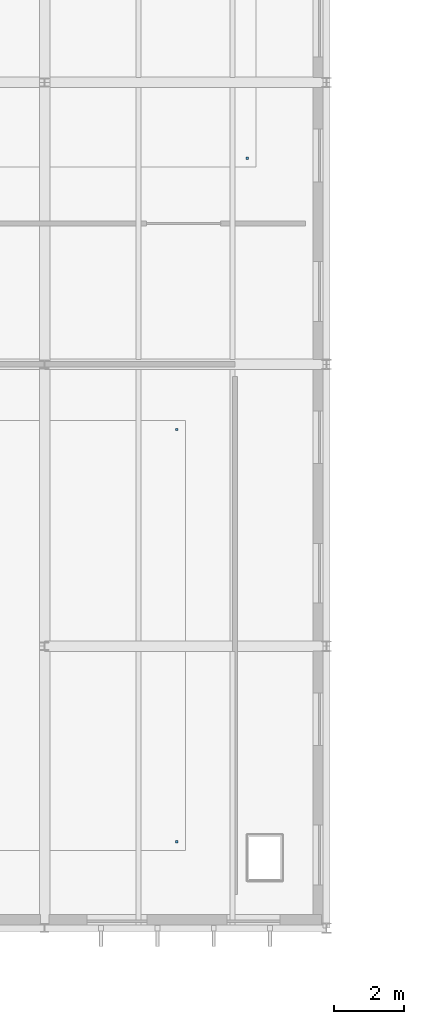
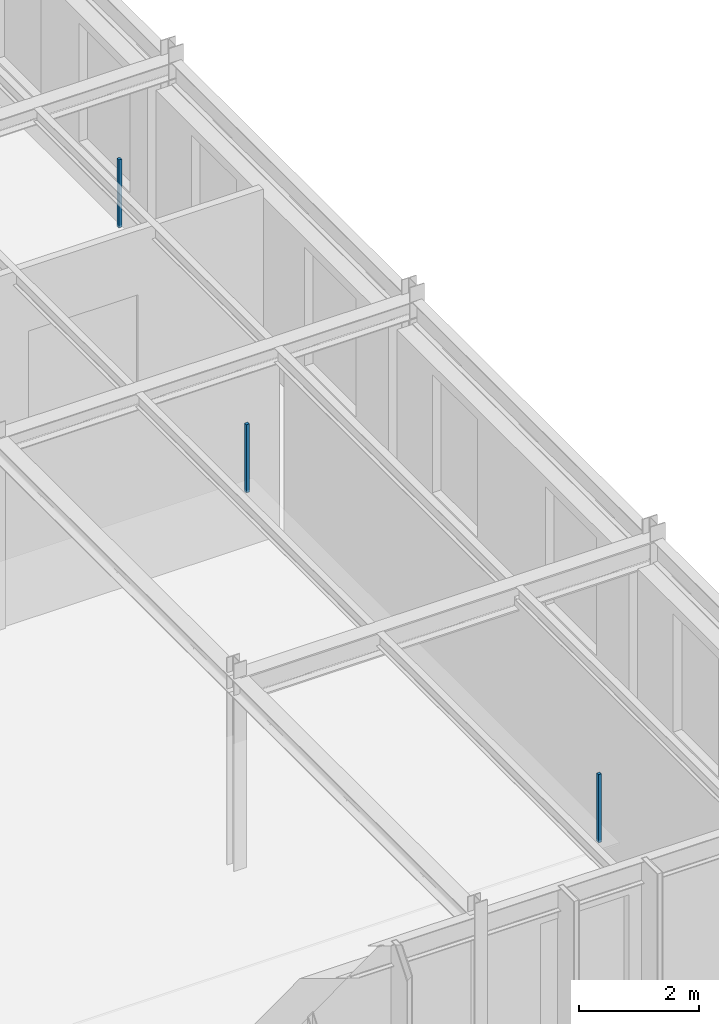
# One storey, part 97 of 124: 3 discrete accessories.
"""IFC4 building model written with IfcOpenShell, lengths in metres."""

from ifc_helpers import new_model, si_unit, direction, frame, origin, origin_2d, place, context, subcontext, project, spatial, rectangle, extrude, material, type_object, element, save


model = new_model("IFC4")

# Units and contexts
model_context = context("Model", 3, precision=1e-05, world=origin(), true_north=direction((0.0, 1.0)))
body_context = subcontext(model_context, "Body", "Model", "MODEL_VIEW")
ifc_project = project(units=[si_unit("LENGTHUNIT", "METRE"), si_unit("AREAUNIT", "SQUARE_METRE"), si_unit("VOLUMEUNIT", "CUBIC_METRE"), si_unit("PLANEANGLEUNIT", "RADIAN"), si_unit("MASSUNIT", "GRAM", prefix="KILO")], contexts=[model_context])

# Site, building, storey
site_placement = place(None, origin())
site = spatial("IfcSite", under=ifc_project, at=site_placement, CompositionType="ELEMENT")
building_placement = place(site_placement, origin())
building = spatial("IfcBuilding", under=site, at=building_placement, Name="Sundkrona Museum", CompositionType="ELEMENT")
storey_placement = place(building_placement, frame((0.0, 0.0, 17.60009765625)))
storey = spatial("IfcBuildingStorey", under=building, at=storey_placement, Name="L03", CompositionType="ELEMENT", Elevation=17.60009765625)

# Discrete accessories
ifc_material = material(Name="Stainless Steel EN 1.4404 Cleat", Category="steel")
discrete_accessory_type = type_object("IfcDiscreteAccessoryType", Name="BRK-FIN-01", PredefinedType="BRACKET", material=ifc_material)
for number, where, z_axis, x_axis, name in (
    (1, (75.75, 80.449951171875, 2.550048828125), (0.0, 0.0, 1.0), (1.0, 0.0, 0.0), "L03 Nordic Ecology Gallery Ceiling Hanger 2"),
    (2, (75.75, 92.14990234375, 2.550048828125), (0.0, 0.0, 1.0), (1.0, 0.0, 0.0), "L03 Nordic Ecology Gallery Ceiling Hanger 3"),
    (3, (77.75, 99.85009765625, 2.550048828125), (0.0, 0.0, 1.0), (1.0, 0.0, 0.0), "L03 Glass and Applied Arts Gallery Ceiling Hanger 2"),
):
    element("IfcDiscreteAccessory", number, at=place(storey_placement, frame(where, z_axis=z_axis, x_axis=x_axis)), inside=storey, type_object=discrete_accessory_type, Name=name, PredefinedType="BRACKET", context=body_context, shape_type="SweptSolid", body=[
        extrude(rectangle(XDim=0.06005859375, YDim=0.06005859375, at=origin_2d()), origin(), (0.0, 0.0, 1.0), 1.3798828125),
    ])

save(model, "model.ifc")
